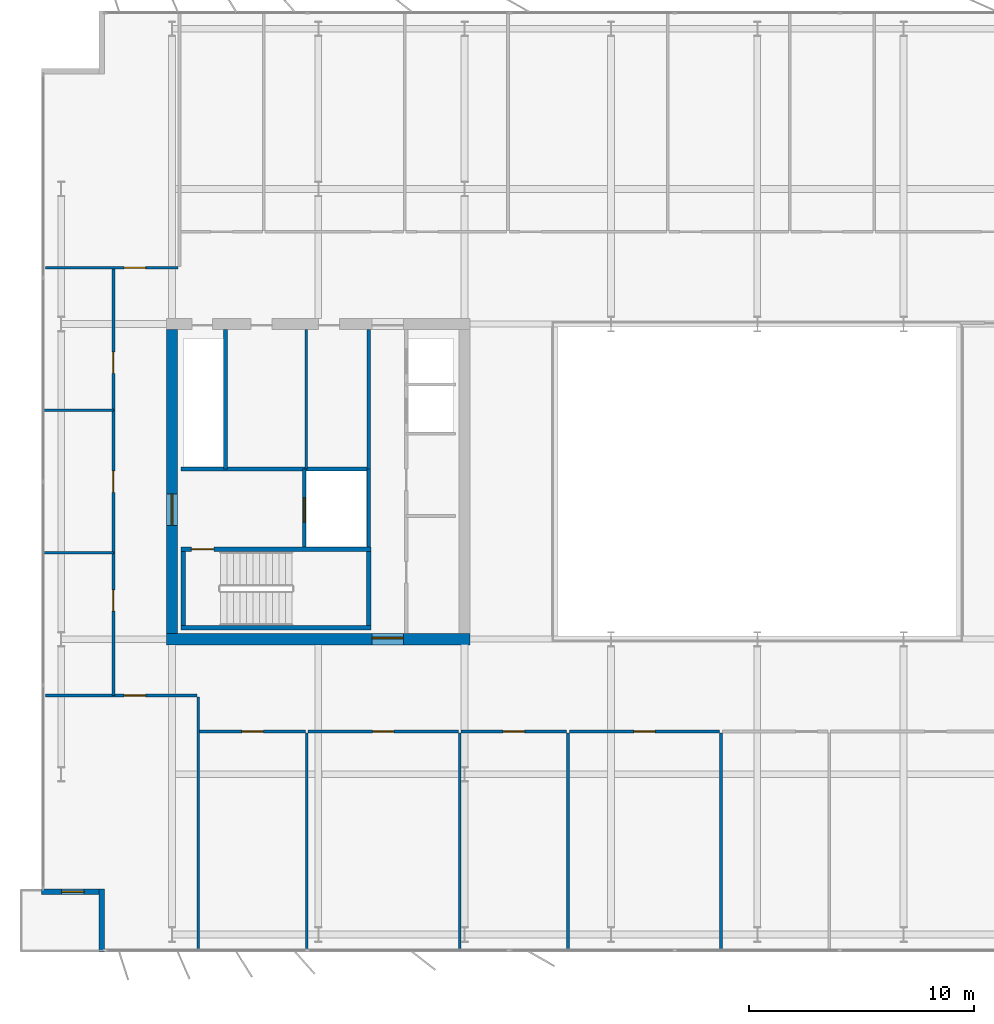
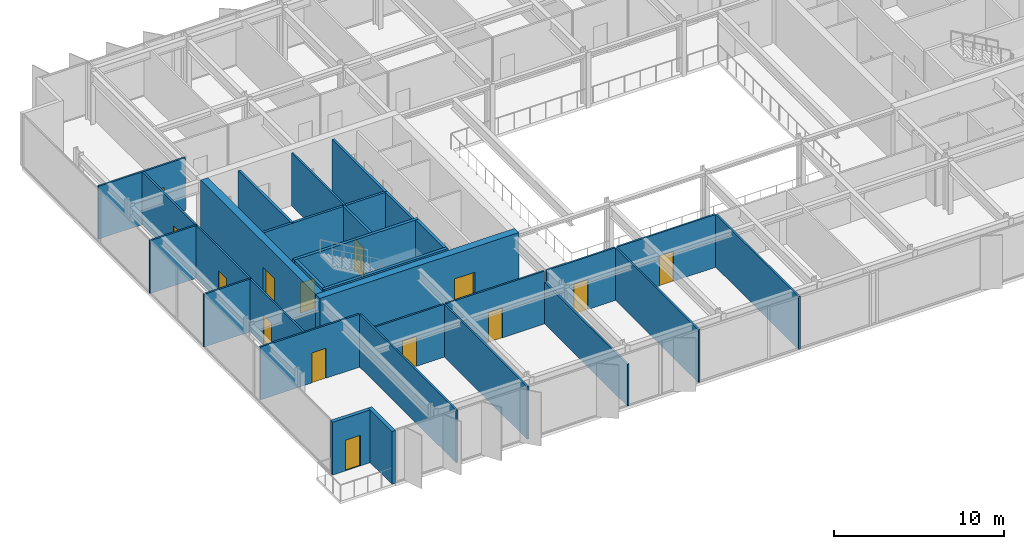
# One storey, part 13 of 20: 30 walls, 14 doors, 14 openings.
"""IFC4 building model written with IfcOpenShell, lengths in metres."""

from ifc_helpers import new_model, si_unit, direction, frame, frame_2d, origin, place, context, subcontext, project, spatial, rectangle, extrude, material, layer, layer_set, type_object, element, fill, save


model = new_model("IFC4")

# Units and contexts
model_context = context("Model", 3, precision=1e-05, world=origin(), true_north=direction((0.0, 1.0)))
body_context = subcontext(model_context, "Body", "Model", "MODEL_VIEW")
ifc_project = project(units=[si_unit("LENGTHUNIT", "METRE"), si_unit("AREAUNIT", "SQUARE_METRE"), si_unit("VOLUMEUNIT", "CUBIC_METRE"), si_unit("PLANEANGLEUNIT", "RADIAN"), si_unit("MASSUNIT", "GRAM", prefix="KILO")], contexts=[model_context])

# Site, building, storey
site_placement = place(None, origin())
site = spatial("IfcSite", under=ifc_project, at=site_placement, CompositionType="ELEMENT")
building_placement = place(site_placement, origin())
building = spatial("IfcBuilding", under=site, at=building_placement, Name="Putna Gate Headquarters", CompositionType="ELEMENT")
storey_placement = place(building_placement, frame((0.0, 0.0, 294.39990234375)))
storey = spatial("IfcBuildingStorey", under=building, at=storey_placement, Name="L74", CompositionType="ELEMENT", Elevation=294.39990234375)

# Wall, opening, door
ifc_material_1 = material(Name="Concrete C50/60", Category="concrete")
ifc_layer_1 = layer(ifc_material_1, 0.5)
ifc_layer_set_1 = layer_set([ifc_layer_1], Name="Concrete C50/60")
wall_type_1 = type_object("IfcWallType", Name="WALL-CORE-500", PredefinedType="SHEAR", material=ifc_layer_set_1)
wall_1_placement = place(storey_placement, frame((12.75, 19.0, 0.0), z_axis=(0.0, 0.0, 1.0), x_axis=(1.0, 0.0, 0.0)))
wall_1 = element("IfcWall", 1, at=wall_1_placement, inside=storey, type_object=wall_type_1, Name="L74 WC Split Core Shear Wall S", PredefinedType="SHEAR", context=body_context, shape_type="SweptSolid", body=[
    extrude(rectangle(XDim=13.5, YDim=0.5, at=frame_2d((6.75, 0.0))), origin(), (0.0, 0.0, 1.0), 4.0),
])
opening_1_placement = place(wall_1_placement, frame((9.1298828125, 0.0, 0.0)))
opening_1 = element("IfcOpeningElement", 2, at=opening_1_placement, cuts=wall_1, Name="Opening FDD-140", PredefinedType="OPENING", context=body_context, shape_type="SweptSolid", body=[
    extrude(rectangle(XDim=1.39990234375, YDim=2.199951171875, at=frame_2d((0.699951171875, 1.10009765625))), frame((0.0, 0.260009765625, 0.0), z_axis=(0.0, -1.0, 0.0), x_axis=(1.0, 0.0, 0.0)), (0.0, 0.0, 1.0), 0.52001953125),
])
ifc_material_2 = material(Name="Double steel fire door", Category="steel")
door_type_1 = type_object("IfcDoorType", Name="DOOR-FIRE-DBL-1400", OperationType="DOUBLE_DOOR_SINGLE_SWING", PredefinedType="DOOR", material=ifc_material_2)
door_1_placement = place(opening_1_placement, origin())
door_1 = element("IfcDoor", 3, at=door_1_placement, inside=storey, type_object=door_type_1, Name="L74 West Lift Lobby South Door", OperationType="DOUBLE_DOOR_SINGLE_SWING", OverallHeight=2.199951171875, OverallWidth=1.39990234375, PredefinedType="DOOR", context=body_context, shape_type="SweptSolid", body=[
    extrude(rectangle(XDim=1.39990234375, YDim=2.199951171875, at=frame_2d((0.699951171875, 1.10009765625))), frame((0.0, 0.0751953125, 0.0), z_axis=(0.0, -1.0, 0.0), x_axis=(1.0, 0.0, 0.0)), (0.0, 0.0, 1.0), 0.050048828125),
])
fill(opening_1, door_1)

wall_2_placement = place(storey_placement, frame((13.0, 19.25, 0.0), z_axis=(0.0, 0.0, 1.0), x_axis=(0.0, 1.0, 0.0)))
wall_2 = element("IfcWall", 4, at=wall_2_placement, inside=storey, type_object=wall_type_1, Name="L74 WC Split Core Shear Wall W", PredefinedType="SHEAR", context=body_context, shape_type="SweptSolid", body=[
    extrude(rectangle(XDim=13.5, YDim=0.5, at=frame_2d((6.75, 0.0))), origin(), (0.0, 0.0, 1.0), 4.0),
])
opening_2_placement = place(wall_2_placement, frame((4.800048828125, 0.0, 0.0)))
opening_2 = element("IfcOpeningElement", 5, at=opening_2_placement, cuts=wall_2, Name="Opening FDD-140", PredefinedType="OPENING", context=body_context, shape_type="SweptSolid", body=[
    extrude(rectangle(XDim=1.39990234375, YDim=2.199951171875, at=frame_2d((0.699951171875, 1.10009765625))), frame((0.0, 0.260009765625, 0.0), z_axis=(0.0, -1.0, 0.0), x_axis=(1.0, 0.0, 0.0)), (0.0, 0.0, 1.0), 0.52001953125),
])
door_2_placement = place(opening_2_placement, origin())
door_2 = element("IfcDoor", 6, at=door_2_placement, inside=storey, type_object=door_type_1, Name="L74 West Firefighting Lobby Door", OperationType="DOUBLE_DOOR_SINGLE_SWING", OverallHeight=2.199951171875, OverallWidth=1.39990234375, PredefinedType="DOOR", context=body_context, shape_type="SweptSolid", body=[
    extrude(rectangle(XDim=1.39990234375, YDim=2.199951171875, at=frame_2d((0.699951171875, 1.10009765625))), frame((0.0, 0.02490234375, 0.0), z_axis=(0.0, -1.0, 0.0), x_axis=(1.0, 0.0, 0.0)), (0.0, 0.0, 1.0), 0.050048828125),
])
fill(opening_2, door_2)

# Wall
ifc_material_3 = material(Name="Precast concrete C40/50", Category="concrete")
ifc_layer_2 = layer(ifc_material_3, 0.239990234375)
ifc_layer_set_2 = layer_set([ifc_layer_2], Name="Precast concrete C40/50")
wall_type_2 = type_object("IfcWallType", Name="WALL-EXT-TERR-240", PredefinedType="STANDARD", material=ifc_layer_set_2)
wall_3_placement = place(storey_placement, frame((9.8798828125, 5.10009765625, 0.0), z_axis=(0.0, 0.0, 1.0), x_axis=(0.0, 1.0, 0.0)))
element("IfcWall", 7, at=wall_3_placement, inside=storey, type_object=wall_type_2, Name="L74 Corner Notch Return Wall SW-V", PredefinedType="STANDARD", context=body_context, shape_type="SweptSolid", body=[
    extrude(rectangle(XDim=2.7998046875, YDim=0.239990234375, at=frame_2d((1.39990234375, 0.0))), origin(), (0.0, 0.0, 1.0), 3.7880859375),
])

# Wall, opening, door
wall_4_placement = place(storey_placement, frame((10.0, 7.780029296875, 0.0), z_axis=(0.0, 0.0, 1.0), x_axis=(-1.0, 0.0, 0.0)))
wall_4 = element("IfcWall", 8, at=wall_4_placement, inside=storey, type_object=wall_type_2, Name="L74 Corner Notch Return Wall SW-H", PredefinedType="STANDARD", context=body_context, shape_type="SweptSolid", body=[
    extrude(rectangle(XDim=2.800048828125, YDim=0.239990234375, at=frame_2d((1.39990234375, 0.0))), origin(), (0.0, 0.0, 1.0), 3.7880859375),
])
opening_3_placement = place(wall_4_placement, frame((0.89990234375, 0.0, 0.0)))
opening_3 = element("IfcOpeningElement", 9, at=opening_3_placement, cuts=wall_4, Name="Opening TRD-1", PredefinedType="OPENING", context=body_context, shape_type="SweptSolid", body=[
    extrude(rectangle(XDim=1.0, YDim=2.199951171875, at=frame_2d((0.5, 1.10009765625))), frame((0.0, 0.1298828125, 0.0), z_axis=(0.0, -1.0, 0.0), x_axis=(1.0, 0.0, 0.0)), (0.0, 0.0, 1.0), 0.260009765625),
])
ifc_material_4 = material(Name="Thermally broken bronze glazed terrace door")
door_type_2 = type_object("IfcDoorType", Name="DOOR-TERR-EXT-1000", OperationType="NOTDEFINED", PredefinedType="DOOR", material=ifc_material_4)
door_3_placement = place(opening_3_placement, origin())
door_3 = element("IfcDoor", 10, at=door_3_placement, inside=storey, type_object=door_type_2, Name="L74 Spiral Sky Terrace Door SW", OperationType="SINGLE_SWING_LEFT", OverallHeight=2.199951171875, OverallWidth=1.0, PredefinedType="DOOR", context=body_context, shape_type="SweptSolid", body=[
    extrude(rectangle(XDim=1.0, YDim=2.199951171875, at=frame_2d((0.5, 1.10009765625))), frame((0.0, 0.02490234375, 0.0), z_axis=(0.0, -1.0, 0.0), x_axis=(1.0, 0.0, 0.0)), (0.0, 0.0, 1.0), 0.050048828125),
])
fill(opening_3, door_3)

# Walls
ifc_material_5 = material(Name="Acoustic gypsum board on metal stud")
ifc_layer_3 = layer(ifc_material_5, 0.1201171875)
ifc_layer_set_3 = layer_set([ifc_layer_3], Name="Acoustic gypsum board on metal stud")
wall_type_3 = type_object("IfcWallType", Name="WALL-PART-120", PredefinedType="PARTITIONING", material=ifc_layer_set_3)
wall_5_placement = place(storey_placement, frame((14.174072265625, 5.1201171875, 0.0), z_axis=(0.0, 0.0, 1.0), x_axis=(0.0, 1.0, 0.0)))
element("IfcWall", 11, at=wall_5_placement, inside=storey, type_object=wall_type_3, Name="L74 Interior Wall PART-L74-SB-DIV-01", PredefinedType="PARTITIONING", context=body_context, shape_type="SweptSolid", body=[
    extrude(rectangle(XDim=11.31982421875, YDim=0.1201171875, at=frame_2d((5.659912109375, 0.0))), origin(), (0.0, 0.0, 1.0), 3.7880859375),
])
wall_6_placement = place(storey_placement, frame((18.98681640625, 5.1201171875, 0.0), z_axis=(0.0, 0.0, 1.0), x_axis=(0.0, 1.0, 0.0)))
element("IfcWall", 12, at=wall_6_placement, inside=storey, type_object=wall_type_3, Name="L74 Interior Wall PART-L74-SB-DIV-02", PredefinedType="PARTITIONING", context=body_context, shape_type="SweptSolid", body=[
    extrude(rectangle(XDim=9.719970703125, YDim=0.1201171875, at=frame_2d((4.85986328125, 0.0))), origin(), (0.0, 0.0, 1.0), 3.7880859375),
])
wall_7_placement = place(storey_placement, frame((25.78076171875, 5.1201171875, 0.0), z_axis=(0.0, 0.0, 1.0), x_axis=(0.0, 1.0, 0.0)))
element("IfcWall", 13, at=wall_7_placement, inside=storey, type_object=wall_type_3, Name="L74 Interior Wall PART-L74-SB-DIV-03", PredefinedType="PARTITIONING", context=body_context, shape_type="SweptSolid", body=[
    extrude(rectangle(XDim=9.719970703125, YDim=0.1201171875, at=frame_2d((4.85986328125, 0.0))), origin(), (0.0, 0.0, 1.0), 2.988037109375),
])
for number, where, z_axis, x_axis, name in (
    (14, (30.59326171875, 5.1201171875, 0.0), (0.0, 0.0, 1.0), (0.0, 1.0, 0.0), "L74 Interior Wall PART-L74-SB-DIV-04"),
    (15, (37.387451171875, 5.1201171875, 0.0), (0.0, 0.0, 1.0), (0.0, 1.0, 0.0), "L74 Interior Wall PART-L74-SB-DIV-05"),
):
    element("IfcWall", number, at=place(storey_placement, frame(where, z_axis=z_axis, x_axis=x_axis)), inside=storey, type_object=wall_type_3, Name=name, PredefinedType="PARTITIONING", context=body_context, shape_type="SweptSolid", body=[
        extrude(rectangle(XDim=9.719970703125, YDim=0.1201171875, at=frame_2d((4.85986328125, 0.0))), origin(), (0.0, 0.0, 1.0), 3.7880859375),
    ])
for number, where, z_axis, x_axis, name in (
    (16, (7.219970703125, 22.833251953125, 0.0), (0.0, 0.0, 1.0), (1.0, 0.0, 0.0), "L74 Interior Wall PART-L74-WW-DIV-1"),
    (17, (7.219970703125, 29.166748046875, 0.0), (0.0, 0.0, 1.0), (1.0, 0.0, 0.0), "L74 Interior Wall PART-L74-WW-DIV-2"),
):
    element("IfcWall", number, at=place(storey_placement, frame(where, z_axis=z_axis, x_axis=x_axis)), inside=storey, type_object=wall_type_3, Name=name, PredefinedType="PARTITIONING", context=body_context, shape_type="SweptSolid", body=[
        extrude(rectangle(XDim=3.179931640625, YDim=0.1201171875, at=frame_2d((1.58984375, 0.0))), origin(), (0.0, 0.0, 1.0), 3.7880859375),
    ])
ifc_material_6 = material(Name="Fire-rated gypsum board on metal stud")
ifc_layer_4 = layer(ifc_material_6, 0.1201171875)
ifc_layer_set_4 = layer_set([ifc_layer_4], Name="Fire-rated gypsum board on metal stud")
wall_type_4 = type_object("IfcWallType", Name="WALL-PART-120-RATED", PredefinedType="PARTITIONING", material=ifc_layer_set_4)
wall_8_placement = place(storey_placement, frame((18.969970703125, 26.56005859375, 0.0), z_axis=(0.0, 0.0, 1.0), x_axis=(0.0, 1.0, 0.0)))
element("IfcWall", 18, at=wall_8_placement, inside=storey, type_object=wall_type_4, Name="L74 Interior Wall CWINT-L74-WC-K0-DIV", PredefinedType="PARTITIONING", context=body_context, shape_type="SweptSolid", body=[
    extrude(rectangle(XDim=6.18994140625, YDim=0.1201171875, at=frame_2d((3.094970703125, 0.0))), origin(), (0.0, 0.0, 1.0), 3.7880859375),
])

# Wall, opening, door
wall_9_placement = place(storey_placement, frame((7.3798828125, 35.5, 0.0), z_axis=(0.0, 0.0, 1.0), x_axis=(1.0, 0.0, 0.0)))
wall_9 = element("IfcWall", 19, at=wall_9_placement, inside=storey, type_object=wall_type_4, Name="L74 Interior Wall PART-L74-NB-CW-01", PredefinedType="PARTITIONING", context=body_context, shape_type="SweptSolid", body=[
    extrude(rectangle(XDim=5.891357421875, YDim=0.1201171875, at=frame_2d((2.94580078125, 0.0))), origin(), (0.0, 0.0, 1.0), 3.7880859375),
])
opening_4_placement = place(wall_9_placement, frame((3.5, 0.0, 0.0)))
opening_4 = element("IfcOpeningElement", 20, at=opening_4_placement, cuts=wall_9, Name="Opening FD-95", PredefinedType="OPENING", context=body_context, shape_type="SweptSolid", body=[
    extrude(rectangle(XDim=0.949951171875, YDim=2.14990234375, at=frame_2d((0.47509765625, 1.074951171875))), frame((0.0, 0.070068359375, 0.0), z_axis=(0.0, -1.0, 0.0), x_axis=(1.0, 0.0, 0.0)), (0.0, 0.0, 1.0), 0.14013671875),
])
ifc_material_7 = material(Name="Acoustic timber fire door", Category="wood")
door_type_3 = type_object("IfcDoorType", Name="DOOR-FIRE-950", OperationType="NOTDEFINED", PredefinedType="DOOR", material=ifc_material_7)
door_4_placement = place(opening_4_placement, origin())
door_4 = element("IfcDoor", 21, at=door_4_placement, inside=storey, type_object=door_type_3, Name="L74 Conference Meeting Room 6 Door", OperationType="SINGLE_SWING_RIGHT", OverallHeight=2.14990234375, OverallWidth=0.949951171875, PredefinedType="DOOR", context=body_context, shape_type="SweptSolid", body=[
    extrude(rectangle(XDim=0.949951171875, YDim=2.14990234375, at=frame_2d((0.47509765625, 1.074951171875))), frame((0.0, 0.02490234375, 0.0), z_axis=(0.0, -1.0, 0.0), x_axis=(1.0, 0.0, 0.0)), (0.0, 0.0, 1.0), 0.050048828125),
])
fill(opening_4, door_4)

wall_10_placement = place(storey_placement, frame((7.3798828125, 16.5, 0.0), z_axis=(0.0, 0.0, 1.0), x_axis=(1.0, 0.0, 0.0)))
wall_10 = element("IfcWall", 22, at=wall_10_placement, inside=storey, type_object=wall_type_4, Name="L74 Interior Wall PART-L74-SB-CW-01", PredefinedType="PARTITIONING", context=body_context, shape_type="SweptSolid", body=[
    extrude(rectangle(XDim=6.734130859375, YDim=0.1201171875, at=frame_2d((3.3671875, 0.0))), origin(), (0.0, 0.0, 1.0), 3.7880859375),
])
opening_5_placement = place(wall_10_placement, frame((3.5, 0.0, 0.0)))
opening_5 = element("IfcOpeningElement", 23, at=opening_5_placement, cuts=wall_10, Name="Opening FD-95", PredefinedType="OPENING", context=body_context, shape_type="SweptSolid", body=[
    extrude(rectangle(XDim=0.949951171875, YDim=2.14990234375, at=frame_2d((0.47509765625, 1.074951171875))), frame((0.0, 0.070068359375, 0.0), z_axis=(0.0, -1.0, 0.0), x_axis=(1.0, 0.0, 0.0)), (0.0, 0.0, 1.0), 0.14013671875),
])
door_5_placement = place(opening_5_placement, origin())
door_5 = element("IfcDoor", 24, at=door_5_placement, inside=storey, type_object=door_type_3, Name="L74 Collaborative Breakout Lounge 1 Door", OperationType="SINGLE_SWING_RIGHT", OverallHeight=2.14990234375, OverallWidth=0.949951171875, PredefinedType="DOOR", context=body_context, shape_type="SweptSolid", body=[
    extrude(rectangle(XDim=0.949951171875, YDim=2.14990234375, at=frame_2d((0.47509765625, 1.074951171875))), frame((0.0, 0.02490234375, 0.0), z_axis=(0.0, -1.0, 0.0), x_axis=(1.0, 0.0, 0.0)), (0.0, 0.0, 1.0), 0.050048828125),
])
fill(opening_5, door_5)

wall_11_placement = place(storey_placement, frame((14.234130859375, 14.89990234375, 0.0), z_axis=(0.0, 0.0, 1.0), x_axis=(1.0, 0.0, 0.0)))
wall_11 = element("IfcWall", 25, at=wall_11_placement, inside=storey, type_object=wall_type_4, Name="L74 Interior Wall PART-L74-SB-CW-02", PredefinedType="PARTITIONING", context=body_context, shape_type="SweptSolid", body=[
    extrude(rectangle(XDim=4.692626953125, YDim=0.1201171875, at=frame_2d((2.34619140625, 0.0))), origin(), (0.0, 0.0, 1.0), 3.7880859375),
])
opening_6_placement = place(wall_11_placement, frame((1.871337890625, 0.0, 0.0)))
opening_6 = element("IfcOpeningElement", 26, at=opening_6_placement, cuts=wall_11, Name="Opening FD-95", PredefinedType="OPENING", context=body_context, shape_type="SweptSolid", body=[
    extrude(rectangle(XDim=0.949951171875, YDim=2.14990234375, at=frame_2d((0.47509765625, 1.074951171875))), frame((0.0, 0.070068359375, 0.0), z_axis=(0.0, -1.0, 0.0), x_axis=(1.0, 0.0, 0.0)), (0.0, 0.0, 1.0), 0.14013671875),
])
door_6_placement = place(opening_6_placement, origin())
door_6 = element("IfcDoor", 27, at=door_6_placement, inside=storey, type_object=door_type_3, Name="L74 Conference Meeting Room 1 Door", OperationType="SINGLE_SWING_LEFT", OverallHeight=2.14990234375, OverallWidth=0.949951171875, PredefinedType="DOOR", context=body_context, shape_type="SweptSolid", body=[
    extrude(rectangle(XDim=0.949951171875, YDim=2.14990234375, at=frame_2d((0.47509765625, 1.074951171875))), frame((0.0, 0.02490234375, 0.0), z_axis=(0.0, -1.0, 0.0), x_axis=(1.0, 0.0, 0.0)), (0.0, 0.0, 1.0), 0.050048828125),
])
fill(opening_6, door_6)

wall_12_placement = place(storey_placement, frame((19.046630859375, 14.89990234375, 0.0), z_axis=(0.0, 0.0, 1.0), x_axis=(1.0, 0.0, 0.0)))
wall_12 = element("IfcWall", 28, at=wall_12_placement, inside=storey, type_object=wall_type_4, Name="L74 Interior Wall PART-L74-SB-CW-03", PredefinedType="PARTITIONING", context=body_context, shape_type="SweptSolid", body=[
    extrude(rectangle(XDim=6.674072265625, YDim=0.1201171875, at=frame_2d((3.3369140625, 0.0))), origin(), (0.0, 0.0, 1.0), 3.7880859375),
])
opening_7_placement = place(wall_12_placement, frame((2.862060546875, 0.0, 0.0)))
opening_7 = element("IfcOpeningElement", 29, at=opening_7_placement, cuts=wall_12, Name="Opening FD-95", PredefinedType="OPENING", context=body_context, shape_type="SweptSolid", body=[
    extrude(rectangle(XDim=0.949951171875, YDim=2.14990234375, at=frame_2d((0.47509765625, 1.074951171875))), frame((0.0, 0.070068359375, 0.0), z_axis=(0.0, -1.0, 0.0), x_axis=(1.0, 0.0, 0.0)), (0.0, 0.0, 1.0), 0.14013671875),
])
door_7_placement = place(opening_7_placement, origin())
door_7 = element("IfcDoor", 30, at=door_7_placement, inside=storey, type_object=door_type_3, Name="L74 Conference Meeting Room 2 Door", OperationType="SINGLE_SWING_RIGHT", OverallHeight=2.14990234375, OverallWidth=0.949951171875, PredefinedType="DOOR", context=body_context, shape_type="SweptSolid", body=[
    extrude(rectangle(XDim=0.949951171875, YDim=2.14990234375, at=frame_2d((0.47509765625, 1.074951171875))), frame((0.0, 0.02490234375, 0.0), z_axis=(0.0, -1.0, 0.0), x_axis=(1.0, 0.0, 0.0)), (0.0, 0.0, 1.0), 0.050048828125),
])
fill(opening_7, door_7)

wall_13_placement = place(storey_placement, frame((25.8408203125, 14.89990234375, 0.0), z_axis=(0.0, 0.0, 1.0), x_axis=(1.0, 0.0, 0.0)))
wall_13 = element("IfcWall", 31, at=wall_13_placement, inside=storey, type_object=wall_type_4, Name="L74 Interior Wall PART-L74-SB-CW-04", PredefinedType="PARTITIONING", context=body_context, shape_type="SweptSolid", body=[
    extrude(rectangle(XDim=4.6923828125, YDim=0.1201171875, at=frame_2d((2.34619140625, 0.0))), origin(), (0.0, 0.0, 1.0), 3.7880859375),
])
opening_8_placement = place(wall_13_placement, frame((1.87109375, 0.0, 0.0)))
opening_8 = element("IfcOpeningElement", 32, at=opening_8_placement, cuts=wall_13, Name="Opening FD-95", PredefinedType="OPENING", context=body_context, shape_type="SweptSolid", body=[
    extrude(rectangle(XDim=0.949951171875, YDim=2.14990234375, at=frame_2d((0.47509765625, 1.074951171875))), frame((0.0, 0.070068359375, 0.0), z_axis=(0.0, -1.0, 0.0), x_axis=(1.0, 0.0, 0.0)), (0.0, 0.0, 1.0), 0.14013671875),
])
door_8_placement = place(opening_8_placement, origin())
door_8 = element("IfcDoor", 33, at=door_8_placement, inside=storey, type_object=door_type_3, Name="L74 Conference Meeting Room 3 Door", OperationType="SINGLE_SWING_LEFT", OverallHeight=2.14990234375, OverallWidth=0.949951171875, PredefinedType="DOOR", context=body_context, shape_type="SweptSolid", body=[
    extrude(rectangle(XDim=0.949951171875, YDim=2.14990234375, at=frame_2d((0.47509765625, 1.074951171875))), frame((0.0, 0.02490234375, 0.0), z_axis=(0.0, -1.0, 0.0), x_axis=(1.0, 0.0, 0.0)), (0.0, 0.0, 1.0), 0.050048828125),
])
fill(opening_8, door_8)

wall_14_placement = place(storey_placement, frame((30.6533203125, 14.89990234375, 0.0), z_axis=(0.0, 0.0, 1.0), x_axis=(1.0, 0.0, 0.0)))
wall_14 = element("IfcWall", 34, at=wall_14_placement, inside=storey, type_object=wall_type_4, Name="L74 Interior Wall PART-L74-SB-CW-05", PredefinedType="PARTITIONING", context=body_context, shape_type="SweptSolid", body=[
    extrude(rectangle(XDim=6.674072265625, YDim=0.1201171875, at=frame_2d((3.3369140625, 0.0))), origin(), (0.0, 0.0, 1.0), 3.7880859375),
])
opening_9_placement = place(wall_14_placement, frame((2.862060546875, 0.0, 0.0)))
opening_9 = element("IfcOpeningElement", 35, at=opening_9_placement, cuts=wall_14, Name="Opening FD-95", PredefinedType="OPENING", context=body_context, shape_type="SweptSolid", body=[
    extrude(rectangle(XDim=0.949951171875, YDim=2.14990234375, at=frame_2d((0.47509765625, 1.074951171875))), frame((0.0, 0.070068359375, 0.0), z_axis=(0.0, -1.0, 0.0), x_axis=(1.0, 0.0, 0.0)), (0.0, 0.0, 1.0), 0.14013671875),
])
door_9_placement = place(opening_9_placement, origin())
door_9 = element("IfcDoor", 36, at=door_9_placement, inside=storey, type_object=door_type_3, Name="L74 Conference Meeting Room 4 Door", OperationType="SINGLE_SWING_RIGHT", OverallHeight=2.14990234375, OverallWidth=0.949951171875, PredefinedType="DOOR", context=body_context, shape_type="SweptSolid", body=[
    extrude(rectangle(XDim=0.949951171875, YDim=2.14990234375, at=frame_2d((0.47509765625, 1.074951171875))), frame((0.0, 0.02490234375, 0.0), z_axis=(0.0, -1.0, 0.0), x_axis=(1.0, 0.0, 0.0)), (0.0, 0.0, 1.0), 0.050048828125),
])
fill(opening_9, door_9)

wall_15_placement = place(storey_placement, frame((10.39990234375, 16.5, 0.0), z_axis=(0.0, 0.0, 1.0), x_axis=(0.0, 1.0, 0.0)))
wall_15 = element("IfcWall", 37, at=wall_15_placement, inside=storey, type_object=wall_type_4, Name="L74 Interior Wall PART-L74-WW-CW-1", PredefinedType="PARTITIONING", context=body_context, shape_type="SweptSolid", body=[
    extrude(rectangle(XDim=6.333251953125, YDim=0.1201171875, at=frame_2d((3.16650390625, 0.0))), origin(), (0.0, 0.0, 1.0), 3.7880859375),
])
opening_10_placement = place(wall_15_placement, frame((3.74169921875, 0.0, 0.0)))
opening_10 = element("IfcOpeningElement", 38, at=opening_10_placement, cuts=wall_15, Name="Opening FD-95", PredefinedType="OPENING", context=body_context, shape_type="SweptSolid", body=[
    extrude(rectangle(XDim=0.949951171875, YDim=2.14990234375, at=frame_2d((0.47509765625, 1.074951171875))), frame((0.0, 0.070068359375, 0.0), z_axis=(0.0, -1.0, 0.0), x_axis=(1.0, 0.0, 0.0)), (0.0, 0.0, 1.0), 0.14013671875),
])
door_10_placement = place(opening_10_placement, origin())
door_10 = element("IfcDoor", 39, at=door_10_placement, inside=storey, type_object=door_type_3, Name="L74 West Executive Office 1 Door", OperationType="SINGLE_SWING_RIGHT", OverallHeight=2.14990234375, OverallWidth=0.949951171875, PredefinedType="DOOR", context=body_context, shape_type="SweptSolid", body=[
    extrude(rectangle(XDim=0.949951171875, YDim=2.14990234375, at=frame_2d((0.47509765625, 1.074951171875))), frame((0.0, 0.02490234375, 0.0), z_axis=(0.0, -1.0, 0.0), x_axis=(1.0, 0.0, 0.0)), (0.0, 0.0, 1.0), 0.050048828125),
])
fill(opening_10, door_10)

wall_16_placement = place(storey_placement, frame((10.39990234375, 22.833251953125, 0.0), z_axis=(0.0, 0.0, 1.0), x_axis=(0.0, 1.0, 0.0)))
wall_16 = element("IfcWall", 40, at=wall_16_placement, inside=storey, type_object=wall_type_4, Name="L74 Interior Wall PART-L74-WW-CW-2", PredefinedType="PARTITIONING", context=body_context, shape_type="SweptSolid", body=[
    extrude(rectangle(XDim=6.33349609375, YDim=0.1201171875, at=frame_2d((3.166748046875, 0.0))), origin(), (0.0, 0.0, 1.0), 3.7880859375),
])
opening_11_placement = place(wall_16_placement, frame((2.691650390625, 0.0, 0.0)))
opening_11 = element("IfcOpeningElement", 41, at=opening_11_placement, cuts=wall_16, Name="Opening FD-95", PredefinedType="OPENING", context=body_context, shape_type="SweptSolid", body=[
    extrude(rectangle(XDim=0.949951171875, YDim=2.14990234375, at=frame_2d((0.47509765625, 1.074951171875))), frame((0.0, 0.070068359375, 0.0), z_axis=(0.0, -1.0, 0.0), x_axis=(1.0, 0.0, 0.0)), (0.0, 0.0, 1.0), 0.14013671875),
])
door_11_placement = place(opening_11_placement, origin())
door_11 = element("IfcDoor", 42, at=door_11_placement, inside=storey, type_object=door_type_3, Name="L74 West Executive Office 2 Door", OperationType="SINGLE_SWING_LEFT", OverallHeight=2.14990234375, OverallWidth=0.949951171875, PredefinedType="DOOR", context=body_context, shape_type="SweptSolid", body=[
    extrude(rectangle(XDim=0.949951171875, YDim=2.14990234375, at=frame_2d((0.47509765625, 1.074951171875))), frame((0.0, 0.02490234375, 0.0), z_axis=(0.0, -1.0, 0.0), x_axis=(1.0, 0.0, 0.0)), (0.0, 0.0, 1.0), 0.050048828125),
])
fill(opening_11, door_11)

wall_17_placement = place(storey_placement, frame((10.39990234375, 29.166748046875, 0.0), z_axis=(0.0, 0.0, 1.0), x_axis=(0.0, 1.0, 0.0)))
wall_17 = element("IfcWall", 43, at=wall_17_placement, inside=storey, type_object=wall_type_4, Name="L74 Interior Wall PART-L74-WW-CW-3", PredefinedType="PARTITIONING", context=body_context, shape_type="SweptSolid", body=[
    extrude(rectangle(XDim=6.333251953125, YDim=0.1201171875, at=frame_2d((3.16650390625, 0.0))), origin(), (0.0, 0.0, 1.0), 3.7880859375),
])
opening_12_placement = place(wall_17_placement, frame((1.6416015625, 0.0, 0.0)))
opening_12 = element("IfcOpeningElement", 44, at=opening_12_placement, cuts=wall_17, Name="Opening FD-95", PredefinedType="OPENING", context=body_context, shape_type="SweptSolid", body=[
    extrude(rectangle(XDim=0.949951171875, YDim=2.14990234375, at=frame_2d((0.47509765625, 1.074951171875))), frame((0.0, 0.070068359375, 0.0), z_axis=(0.0, -1.0, 0.0), x_axis=(1.0, 0.0, 0.0)), (0.0, 0.0, 1.0), 0.14013671875),
])
door_12_placement = place(opening_12_placement, origin())
door_12 = element("IfcDoor", 45, at=door_12_placement, inside=storey, type_object=door_type_3, Name="L74 West Project Meeting Room 3 Door", OperationType="SINGLE_SWING_RIGHT", OverallHeight=2.14990234375, OverallWidth=0.949951171875, PredefinedType="DOOR", context=body_context, shape_type="SweptSolid", body=[
    extrude(rectangle(XDim=0.949951171875, YDim=2.14990234375, at=frame_2d((0.47509765625, 1.074951171875))), frame((0.0, 0.02490234375, 0.0), z_axis=(0.0, -1.0, 0.0), x_axis=(1.0, 0.0, 0.0)), (0.0, 0.0, 1.0), 0.050048828125),
])
fill(opening_12, door_12)

# Wall
ifc_material_8 = material(Name="Concrete C40/50", Category="concrete")
ifc_layer_5 = layer(ifc_material_8, 0.159912109375)
ifc_layer_set_5 = layer_set([ifc_layer_5], Name="Concrete C40/50")
wall_type_5 = type_object("IfcWallType", Name="WALL-SHAFT-160", PredefinedType="STANDARD", material=ifc_layer_set_5)
wall_18_placement = place(storey_placement, frame((21.739990234375, 23.090087890625, 0.0), z_axis=(0.0, 0.0, 1.0), x_axis=(0.0, 1.0, 0.0)))
element("IfcWall", 46, at=wall_18_placement, inside=storey, type_object=wall_type_5, Name="L74 Interior Wall CWINT-L74-WC-FFL-E", PredefinedType="STANDARD", context=body_context, shape_type="SweptSolid", body=[
    extrude(rectangle(XDim=3.469970703125, YDim=0.159912109375, at=frame_2d((1.73486328125, 0.0))), origin(), (0.0, 0.0, 1.0), 3.7880859375),
])

# Wall, opening, door
wall_19_placement = place(storey_placement, frame((18.8798828125, 23.090087890625, 0.0), z_axis=(0.0, 0.0, 1.0), x_axis=(0.0, 1.0, 0.0)))
wall_19 = element("IfcWall", 47, at=wall_19_placement, inside=storey, type_object=wall_type_5, Name="L74 Interior Wall CWINT-L74-WC-LF13-W", PredefinedType="STANDARD", context=body_context, shape_type="SweptSolid", body=[
    extrude(rectangle(XDim=3.469970703125, YDim=0.159912109375, at=frame_2d((1.73486328125, 0.0))), origin(), (0.0, 0.0, 1.0), 3.7880859375),
])
opening_13_placement = place(wall_19_placement, frame((1.10009765625, 0.0, 0.0)))
opening_13 = element("IfcOpeningElement", 48, at=opening_13_placement, cuts=wall_19, Name="Opening LD-1", PredefinedType="OPENING", context=body_context, shape_type="SweptSolid", body=[
    extrude(rectangle(XDim=1.10009765625, YDim=2.199951171875, at=frame_2d((0.550048828125, 1.10009765625))), frame((0.0, 0.08984375, 0.0), z_axis=(0.0, -1.0, 0.0), x_axis=(1.0, 0.0, 0.0)), (0.0, 0.0, 1.0), 0.179931640625),
])
ifc_material_9 = material(Name="Brushed bronze stainless lift landing door")
door_type_4 = type_object("IfcDoorType", Name="DOOR-LIFT-1100", OperationType="DOUBLE_DOOR_SLIDING", PredefinedType="DOOR", material=ifc_material_9)
door_13_placement = place(opening_13_placement, origin())
door_13 = element("IfcDoor", 49, at=door_13_placement, inside=storey, type_object=door_type_4, Name="L74 Lift Landing Door LD-13", OperationType="DOUBLE_DOOR_SLIDING", OverallHeight=2.199951171875, OverallWidth=1.10009765625, PredefinedType="DOOR", context=body_context, shape_type="SweptSolid", body=[
    extrude(rectangle(XDim=1.10009765625, YDim=2.199951171875, at=frame_2d((0.550048828125, 1.10009765625))), frame((0.0, 0.02490234375, 0.0), z_axis=(0.0, -1.0, 0.0), x_axis=(1.0, 0.0, 0.0)), (0.0, 0.0, 1.0), 0.050048828125),
])
fill(opening_13, door_13)

# Walls
wall_20_placement = place(storey_placement, frame((13.39990234375, 26.56005859375, 0.0), z_axis=(0.0, 0.0, 1.0), x_axis=(1.0, 0.0, 0.0)))
element("IfcWall", 50, at=wall_20_placement, inside=storey, type_object=wall_type_5, Name="L74 Interior Wall CWINT-L74-WC-FFL-N", PredefinedType="STANDARD", context=body_context, shape_type="SweptSolid", body=[
    extrude(rectangle(XDim=8.340087890625, YDim=0.159912109375, at=frame_2d((4.169921875, 0.0))), origin(), (0.0, 0.0, 1.0), 3.7880859375),
])
for number, where, z_axis, x_axis, name in (
    (51, (15.3798828125, 26.56005859375, 0.0), (0.0, 0.0, 1.0), (0.0, 1.0, 0.0), "L74 Interior Wall CWINT-L74-WC-RISER-E"),
    (52, (21.739990234375, 26.56005859375, 0.0), (0.0, 0.0, 1.0), (0.0, 1.0, 0.0), "L74 Interior Wall CWINT-L74-WC-LOB-W"),
):
    element("IfcWall", number, at=place(storey_placement, frame(where, z_axis=z_axis, x_axis=x_axis)), inside=storey, type_object=wall_type_5, Name=name, PredefinedType="STANDARD", context=body_context, shape_type="SweptSolid", body=[
        extrude(rectangle(XDim=6.18994140625, YDim=0.159912109375, at=frame_2d((3.094970703125, 0.0))), origin(), (0.0, 0.0, 1.0), 3.7880859375),
    ])
ifc_layer_6 = layer(ifc_material_8, 0.199951171875)
ifc_layer_set_6 = layer_set([ifc_layer_6], Name="Concrete C40/50")
wall_type_6 = type_object("IfcWallType", Name="WALL-SHAFT-RC200", PredefinedType="SHEAR", material=ifc_layer_set_6)
wall_21_placement = place(storey_placement, frame((13.409912109375, 19.510009765625, 0.0), z_axis=(0.0, 0.0, 1.0), x_axis=(1.0, 0.0, 0.0)))
element("IfcWall", 53, at=wall_21_placement, inside=storey, type_object=wall_type_6, Name="L74 Stair ST1 Structural Shaft Wall S", PredefinedType="SHEAR", context=body_context, shape_type="SweptSolid", body=[
    extrude(rectangle(XDim=8.43017578125, YDim=0.199951171875, at=frame_2d((4.215087890625, 0.0))), origin(), (0.0, 0.0, 1.0), 4.0),
])

# Wall, opening, door
wall_22_placement = place(storey_placement, frame((13.409912109375, 22.989990234375, 0.0), z_axis=(0.0, 0.0, 1.0), x_axis=(1.0, 0.0, 0.0)))
wall_22 = element("IfcWall", 54, at=wall_22_placement, inside=storey, type_object=wall_type_6, Name="L74 Stair ST1 Structural Shaft Wall N", PredefinedType="SHEAR", context=body_context, shape_type="SweptSolid", body=[
    extrude(rectangle(XDim=8.43017578125, YDim=0.199951171875, at=frame_2d((4.215087890625, 0.0))), origin(), (0.0, 0.0, 1.0), 4.0),
])
opening_14_placement = place(wall_22_placement, frame((0.449951171875, 0.0, 0.0)))
opening_14 = element("IfcOpeningElement", 55, at=opening_14_placement, cuts=wall_22, Name="Opening FD-100", PredefinedType="OPENING", context=body_context, shape_type="SweptSolid", body=[
    extrude(rectangle(XDim=1.0, YDim=2.14990234375, at=frame_2d((0.5, 1.074951171875))), frame((0.0, 0.10986328125, 0.0), z_axis=(0.0, -1.0, 0.0), x_axis=(1.0, 0.0, 0.0)), (0.0, 0.0, 1.0), 0.219970703125),
])
ifc_material_10 = material(Name="Powder-coated steel fire door", Category="steel")
door_type_5 = type_object("IfcDoorType", Name="DOOR-FIRE-1000", OperationType="NOTDEFINED", PredefinedType="DOOR", material=ifc_material_10)
door_14_placement = place(opening_14_placement, origin())
door_14 = element("IfcDoor", 56, at=door_14_placement, inside=storey, type_object=door_type_5, Name="L74 Stair ST1 Fire Door", OperationType="SINGLE_SWING_LEFT", OverallHeight=2.14990234375, OverallWidth=1.0, PredefinedType="DOOR", context=body_context, shape_type="SweptSolid", body=[
    extrude(rectangle(XDim=1.0, YDim=2.14990234375, at=frame_2d((0.5, 1.074951171875))), frame((0.0, 0.02490234375, 0.0), z_axis=(0.0, -1.0, 0.0), x_axis=(1.0, 0.0, 0.0)), (0.0, 0.0, 1.0), 0.050048828125),
])
fill(opening_14, door_14)

# Walls
for number, where, z_axis, x_axis, name in (
    (57, (13.510009765625, 19.610107421875, 0.0), (0.0, 0.0, 1.0), (0.0, 1.0, 0.0), "L74 Stair ST1 Structural Shaft Wall W"),
    (58, (21.739990234375, 19.610107421875, 0.0), (0.0, 0.0, 1.0), (0.0, 1.0, 0.0), "L74 Stair ST1 Structural Shaft Wall E"),
):
    element("IfcWall", number, at=place(storey_placement, frame(where, z_axis=z_axis, x_axis=x_axis)), inside=storey, type_object=wall_type_6, Name=name, PredefinedType="SHEAR", context=body_context, shape_type="SweptSolid", body=[
        extrude(rectangle(XDim=3.27978515625, YDim=0.199951171875, at=frame_2d((1.639892578125, 0.0))), origin(), (0.0, 0.0, 1.0), 4.0),
    ])

save(model, "model.ifc")
